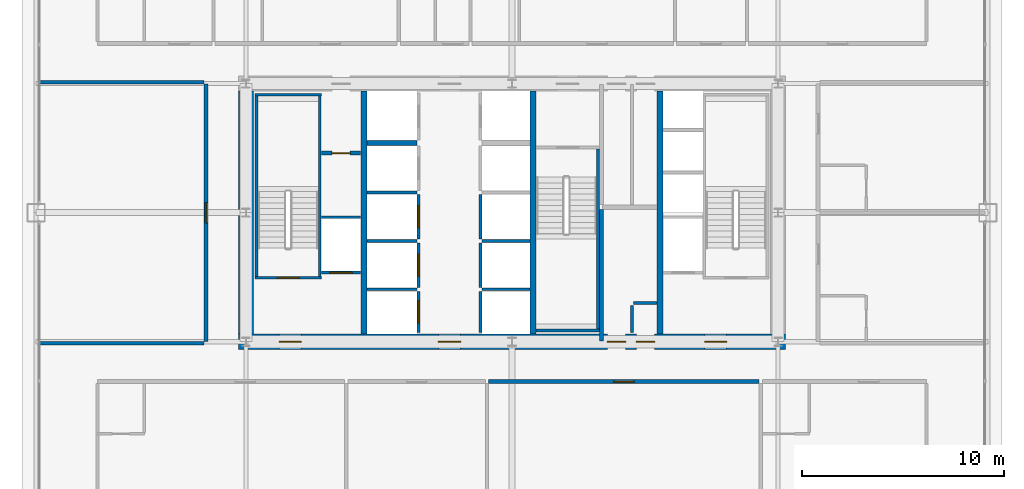
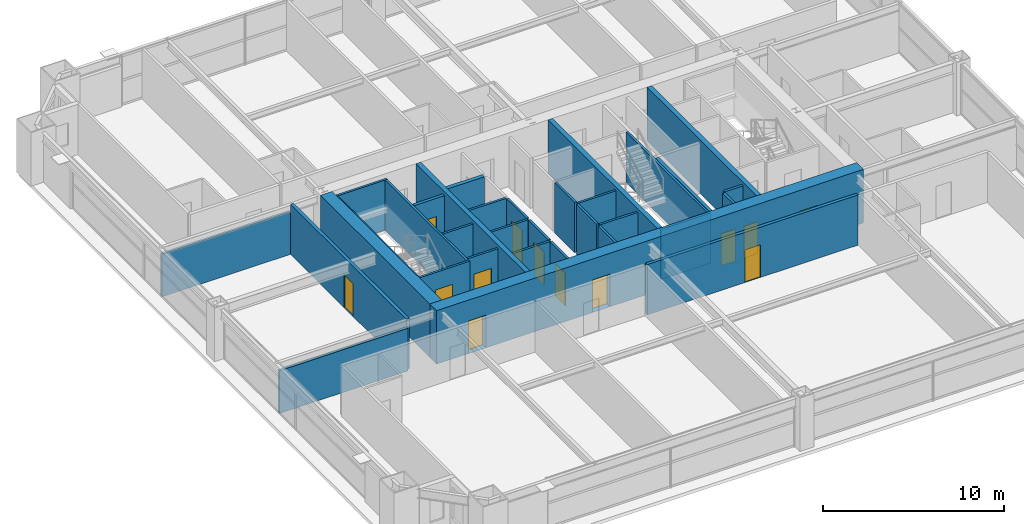
# One storey, part 34 of 38: 33 walls, 13 doors, 13 openings.
"""IFC4 building model written with IfcOpenShell, lengths in metres."""

from ifc_helpers import new_model, si_unit, direction, frame, frame_2d, origin, place, context, subcontext, project, spatial, rectangle, extrude, source, transform, mapped, material, layer, layer_set, type_object, element, fill, save


model = new_model("IFC4")

# Units and contexts
model_context = context("Model", 3, precision=1e-05, world=origin(), true_north=direction((0.0, 1.0)))
body_context = subcontext(model_context, "Body", "Model", "MODEL_VIEW")
ifc_project = project(units=[si_unit("LENGTHUNIT", "METRE"), si_unit("AREAUNIT", "SQUARE_METRE"), si_unit("VOLUMEUNIT", "CUBIC_METRE"), si_unit("PLANEANGLEUNIT", "RADIAN"), si_unit("MASSUNIT", "GRAM", prefix="KILO"), si_unit("THERMODYNAMICTEMPERATUREUNIT", "KELVIN"), si_unit("POWERUNIT", "WATT")], contexts=[model_context])

# Site, building, storey
site_placement = place(None, origin())
site = spatial("IfcSite", under=ifc_project, at=site_placement, CompositionType="ELEMENT")
building_placement = place(site_placement, origin())
building = spatial("IfcBuilding", under=site, at=building_placement, Name="Yuzanri Waterfront Tower", CompositionType="ELEMENT")
storey_placement = place(building_placement, frame((0.0, 0.0, 111.800048828125)))
storey = spatial("IfcBuildingStorey", under=building, at=storey_placement, Name="L29", CompositionType="ELEMENT", Elevation=111.800048828125)

# Wall, openings, doors
ifc_material_1 = material(Name="Concrete C55", Category="concrete")
ifc_layer_1 = layer(ifc_material_1, 0.75)
ifc_layer_set_1 = layer_set([ifc_layer_1], Name="Concrete C55")
wall_type_1 = type_object("IfcWallType", Name="Concrete C55 Low-Mid Zone Core Shear Wall 750", PredefinedType="SHEAR", material=ifc_layer_set_1)
wall_1_placement = place(storey_placement, frame((23.425048828125, 19.39990234375, 0.0), z_axis=(0.0, 0.0, 1.0), x_axis=(1.0, 0.0, 0.0)))
wall_1 = element("IfcWall", 1, at=wall_1_placement, inside=storey, type_object=wall_type_1, Name="L29 Core South Shear Wall", PredefinedType="SHEAR", context=body_context, shape_type="SweptSolid", body=[
    extrude(rectangle(XDim=27.14990234375, YDim=0.75, at=frame_2d((13.574951171875, 0.0))), origin(), (0.0, 0.0, 1.0), 3.599853515625),
])
opening_1_placement = place(wall_1_placement, frame((2.02490234375, 0.0, 0.0)))
opening_1 = element("IfcOpeningElement", 2, at=opening_1_placement, cuts=wall_1, Name="Opening FD-1100", PredefinedType="OPENING", context=body_context, shape_type="SweptSolid", body=[
    extrude(rectangle(XDim=1.10009765625, YDim=2.199951171875, at=frame_2d((0.550048828125, 1.10009765625))), frame((0.0, 0.389892578125, 0.0), z_axis=(0.0, -1.0, 0.0), x_axis=(1.0, 0.0, 0.0)), (0.0, 0.0, 1.0), 0.77978515625),
])
opening_2_placement = place(wall_1_placement, frame((9.925048828125, 0.0, 0.0)))
opening_2 = element("IfcOpeningElement", 3, at=opening_2_placement, cuts=wall_1, Name="Opening FD-1100", PredefinedType="OPENING", context=body_context, shape_type="SweptSolid", body=[
    extrude(rectangle(XDim=1.10009765625, YDim=2.199951171875, at=frame_2d((0.550048828125, 1.10009765625))), frame((0.0, 0.389892578125, 0.0), z_axis=(0.0, -1.0, 0.0), x_axis=(1.0, 0.0, 0.0)), (0.0, 0.0, 1.0), 0.77978515625),
])
opening_3_placement = place(wall_1_placement, frame((23.125, 0.0, 0.0)))
opening_3 = element("IfcOpeningElement", 4, at=opening_3_placement, cuts=wall_1, Name="Opening FD-1100", PredefinedType="OPENING", context=body_context, shape_type="SweptSolid", body=[
    extrude(rectangle(XDim=1.10009765625, YDim=2.199951171875, at=frame_2d((0.550048828125, 1.10009765625))), frame((0.0, 0.389892578125, 0.0), z_axis=(0.0, -1.0, 0.0), x_axis=(1.0, 0.0, 0.0)), (0.0, 0.0, 1.0), 0.77978515625),
])
opening_4_placement = place(wall_1_placement, frame((19.7451171875, 0.0, 0.0)))
opening_4 = element("IfcOpeningElement", 5, at=opening_4_placement, cuts=wall_1, Name="Opening FD-0900", PredefinedType="OPENING", context=body_context, shape_type="SweptSolid", body=[
    extrude(rectangle(XDim=0.89990234375, YDim=2.14990234375, at=frame_2d((0.449951171875, 1.074951171875))), frame((0.0, 0.389892578125, 0.0), z_axis=(0.0, -1.0, 0.0), x_axis=(1.0, 0.0, 0.0)), (0.0, 0.0, 1.0), 0.77978515625),
])
opening_5_placement = place(wall_1_placement, frame((18.304931640625, 0.0, 0.0)))
opening_5 = element("IfcOpeningElement", 6, at=opening_5_placement, cuts=wall_1, Name="Opening FD-0900", PredefinedType="OPENING", context=body_context, shape_type="SweptSolid", body=[
    extrude(rectangle(XDim=0.89990234375, YDim=2.14990234375, at=frame_2d((0.449951171875, 1.074951171875))), frame((0.0, 0.389892578125, 0.0), z_axis=(0.0, -1.0, 0.0), x_axis=(1.0, 0.0, 0.0)), (0.0, 0.0, 1.0), 0.77978515625),
])
ifc_material_2 = material(Name="Painted Galvanized Fire Steel", Category="steel")
door_type_1 = type_object("IfcDoorType", Name="Smoke-Proof Stair and Lobby Fire Door 1100x2200", OperationType="NOTDEFINED", PredefinedType="DOOR", material=ifc_material_2)
shared_shape_1 = source(origin(), body_context, "Body", "SweptSolid", [
    extrude(rectangle(XDim=1.10009765625, YDim=2.199951171875, at=frame_2d((0.550048828125, 1.10009765625))), frame((0.0, 0.02490234375, 0.0), z_axis=(0.0, -1.0, 0.0), x_axis=(1.0, 0.0, 0.0)), (0.0, 0.0, 1.0), 0.050048828125),
])
door_1_placement = place(opening_1_placement, origin())
door_1 = element("IfcDoor", 7, at=door_1_placement, inside=storey, type_object=door_type_1, Name="L29 West Firefighting Lobby Door", OperationType="SINGLE_SWING_LEFT", OverallHeight=2.199951171875, OverallWidth=1.10009765625, PredefinedType="DOOR", context=body_context, shape_type="MappedRepresentation", body=[
    mapped(shared_shape_1, transform((0.0, 0.0, 0.0), scale=1.0)),
])
fill(opening_1, door_1)
door_2_placement = place(opening_2_placement, origin())
door_2 = element("IfcDoor", 8, at=door_2_placement, inside=storey, type_object=door_type_1, Name="L29 Central Lift Lobby South Door", OperationType="SINGLE_SWING_RIGHT", OverallHeight=2.199951171875, OverallWidth=1.10009765625, PredefinedType="DOOR", context=body_context, shape_type="MappedRepresentation", body=[
    mapped(shared_shape_1, transform((0.0, 0.0, 0.0), scale=1.0)),
])
fill(opening_2, door_2)
door_3_placement = place(opening_3_placement, origin())
door_3 = element("IfcDoor", 9, at=door_3_placement, inside=storey, type_object=door_type_1, Name="L29 East Firefighting Lobby Door", OperationType="SINGLE_SWING_LEFT", OverallHeight=2.199951171875, OverallWidth=1.10009765625, PredefinedType="DOOR", context=body_context, shape_type="MappedRepresentation", body=[
    mapped(shared_shape_1, transform((0.0, 0.0, 0.0), scale=1.0)),
])
fill(opening_3, door_3)
ifc_material_3 = material(Name="Painted Galvanized Fire Steel", Category="steel")
door_type_2 = type_object("IfcDoorType", Name="Riser and Service Room Fire Door 900x2150", OperationType="NOTDEFINED", PredefinedType="DOOR", material=ifc_material_3)
shared_shape_2 = source(origin(), body_context, "Body", "SweptSolid", [
    extrude(rectangle(XDim=0.89990234375, YDim=2.14990234375, at=frame_2d((0.449951171875, 1.074951171875))), frame((0.0, 0.02490234375, 0.0), z_axis=(0.0, -1.0, 0.0), x_axis=(1.0, 0.0, 0.0)), (0.0, 0.0, 1.0), 0.050048828125),
])
door_4_placement = place(opening_4_placement, origin())
door_4 = element("IfcDoor", 10, at=door_4_placement, inside=storey, type_object=door_type_2, Name="L29 East Wet Riser Door", OperationType="SINGLE_SWING_RIGHT", OverallHeight=2.14990234375, OverallWidth=0.89990234375, PredefinedType="DOOR", context=body_context, shape_type="MappedRepresentation", body=[
    mapped(shared_shape_2, transform((0.0, 0.0, 0.0), scale=1.0)),
])
fill(opening_4, door_4)
door_5_placement = place(opening_5_placement, origin())
door_5 = element("IfcDoor", 11, at=door_5_placement, inside=storey, type_object=door_type_2, Name="L29 Housekeeping Room", OperationType="SINGLE_SWING_LEFT", OverallHeight=2.14990234375, OverallWidth=0.89990234375, PredefinedType="DOOR", context=body_context, shape_type="MappedRepresentation", body=[
    mapped(shared_shape_2, transform((0.0, 0.0, 0.0), scale=1.0)),
])
fill(opening_5, door_5)

# Wall, opening, door
ifc_material_4 = material(Name="Concrete C40", Category="concrete")
ifc_layer_2 = layer(ifc_material_4, 0.139892578125)
ifc_layer_set_2 = layer_set([ifc_layer_2], Name="Concrete C40")
wall_type_2 = type_object("IfcWallType", Name="Core Stair Liner and Hoistway Shaft Wall 140", PredefinedType="SOLIDWALL", material=ifc_layer_set_2)
wall_2_placement = place(storey_placement, frame((27.56005859375, 22.830078125, 0.0), z_axis=(0.0, 0.0, 1.0), x_axis=(1.0, 0.0, 0.0)))
wall_2 = element("IfcWall", 12, at=wall_2_placement, inside=storey, type_object=wall_type_2, Name="L29 Lift FL-01 Front Shaft Wall", PredefinedType="SOLIDWALL", context=body_context, shape_type="SweptSolid", body=[
    extrude(rectangle(XDim=1.919921875, YDim=0.139892578125, at=frame_2d((0.9599609375, 0.0))), origin(), (0.0, 0.0, 1.0), 3.3798828125),
])
opening_6_placement = place(wall_2_placement, frame((0.409912109375, 0.0, 0.0)))
opening_6 = element("IfcOpeningElement", 13, at=opening_6_placement, cuts=wall_2, Name="Opening LD-FL-01", PredefinedType="OPENING", context=body_context, shape_type="SweptSolid", body=[
    extrude(rectangle(XDim=1.10009765625, YDim=2.199951171875, at=frame_2d((0.550048828125, 1.10009765625))), frame((0.0, 0.0849609375, 0.0), z_axis=(0.0, -1.0, 0.0), x_axis=(1.0, 0.0, 0.0)), (0.0, 0.0, 1.0), 0.169677734375),
])
ifc_material_5 = material(Name="Brushed Bronze and Stainless Steel Cab", Category="steel")
door_type_3 = type_object("IfcDoorType", Name="Center-Parting Bronze Lift Landing Sliding Door 1100x2200", OperationType="NOTDEFINED", PredefinedType="DOOR", material=ifc_material_5)
shared_shape_3 = source(origin(), body_context, "Body", "SweptSolid", [
    extrude(rectangle(XDim=1.10009765625, YDim=2.199951171875, at=frame_2d((0.550048828125, 1.10009765625))), frame((0.0, 0.02490234375, 0.0), z_axis=(0.0, -1.0, 0.0), x_axis=(1.0, 0.0, 0.0)), (0.0, 0.0, 1.0), 0.050048828125),
])
door_6_placement = place(opening_6_placement, origin())
door_6 = element("IfcDoor", 14, at=door_6_placement, inside=storey, type_object=door_type_3, Name="L29 FL-01 Lift Landing Sliding Door", OperationType="SLIDING_TO_LEFT", OverallHeight=2.199951171875, OverallWidth=1.10009765625, PredefinedType="DOOR", context=body_context, shape_type="MappedRepresentation", body=[
    mapped(shared_shape_3, transform((0.0, 0.0, 0.0), scale=1.0)),
])
fill(opening_6, door_6)

wall_3_placement = place(storey_placement, frame((32.3701171875, 19.860107421875, 0.0), z_axis=(0.0, 0.0, 1.0), x_axis=(0.0, 1.0, 0.0)))
wall_3 = element("IfcWall", 15, at=wall_3_placement, inside=storey, type_object=wall_type_2, Name="L29 Lift PL-01 Front Shaft Wall", PredefinedType="SOLIDWALL", context=body_context, shape_type="SweptSolid", body=[
    extrude(rectangle(XDim=2.039794921875, YDim=0.139892578125, at=frame_2d((1.02001953125, 0.0))), origin(), (0.0, 0.0, 1.0), 3.3798828125),
])
opening_7_placement = place(wall_3_placement, frame((0.469970703125, 0.0, 0.0)))
opening_7 = element("IfcOpeningElement", 16, at=opening_7_placement, cuts=wall_3, Name="Opening LD-PL-01", PredefinedType="OPENING", context=body_context, shape_type="SweptSolid", body=[
    extrude(rectangle(XDim=1.10009765625, YDim=2.199951171875, at=frame_2d((0.550048828125, 1.10009765625))), frame((0.0, 0.0849609375, 0.0), z_axis=(0.0, -1.0, 0.0), x_axis=(1.0, 0.0, 0.0)), (0.0, 0.0, 1.0), 0.169677734375),
])
door_7_placement = place(opening_7_placement, origin())
door_7 = element("IfcDoor", 17, at=door_7_placement, inside=storey, type_object=door_type_3, Name="L29 PL-01 Lift Landing Sliding Door", OperationType="SLIDING_TO_LEFT", OverallHeight=2.199951171875, OverallWidth=1.10009765625, PredefinedType="DOOR", context=body_context, shape_type="MappedRepresentation", body=[
    mapped(shared_shape_3, transform((0.0, 0.0, 0.0), scale=1.0)),
])
fill(opening_7, door_7)

wall_4_placement = place(storey_placement, frame((32.3701171875, 22.10009765625, 0.0), z_axis=(0.0, 0.0, 1.0), x_axis=(0.0, 1.0, 0.0)))
wall_4 = element("IfcWall", 18, at=wall_4_placement, inside=storey, type_object=wall_type_2, Name="L29 Lift PL-02 Front Shaft Wall", PredefinedType="SOLIDWALL", context=body_context, shape_type="SweptSolid", body=[
    extrude(rectangle(XDim=2.199951171875, YDim=0.139892578125, at=frame_2d((1.10009765625, 0.0))), origin(), (0.0, 0.0, 1.0), 3.3798828125),
])
opening_8_placement = place(wall_4_placement, frame((0.550048828125, 0.0, 0.0)))
opening_8 = element("IfcOpeningElement", 19, at=opening_8_placement, cuts=wall_4, Name="Opening LD-PL-02", PredefinedType="OPENING", context=body_context, shape_type="SweptSolid", body=[
    extrude(rectangle(XDim=1.10009765625, YDim=2.199951171875, at=frame_2d((0.550048828125, 1.10009765625))), frame((0.0, 0.0849609375, 0.0), z_axis=(0.0, -1.0, 0.0), x_axis=(1.0, 0.0, 0.0)), (0.0, 0.0, 1.0), 0.169677734375),
])
door_8_placement = place(opening_8_placement, origin())
door_8 = element("IfcDoor", 20, at=door_8_placement, inside=storey, type_object=door_type_3, Name="L29 PL-02 Lift Landing Sliding Door", OperationType="SLIDING_TO_RIGHT", OverallHeight=2.199951171875, OverallWidth=1.10009765625, PredefinedType="DOOR", context=body_context, shape_type="MappedRepresentation", body=[
    mapped(shared_shape_3, transform((0.0, 0.0, 0.0), scale=1.0)),
])
fill(opening_8, door_8)

wall_5_placement = place(storey_placement, frame((32.3701171875, 24.5, 0.0), z_axis=(0.0, 0.0, 1.0), x_axis=(0.0, 1.0, 0.0)))
wall_5 = element("IfcWall", 21, at=wall_5_placement, inside=storey, type_object=wall_type_2, Name="L29 Lift PL-03 Front Shaft Wall", PredefinedType="SOLIDWALL", context=body_context, shape_type="SweptSolid", body=[
    extrude(rectangle(XDim=2.199951171875, YDim=0.139892578125, at=frame_2d((1.10009765625, 0.0))), origin(), (0.0, 0.0, 1.0), 3.3798828125),
])
opening_9_placement = place(wall_5_placement, frame((0.550048828125, 0.0, 0.0)))
opening_9 = element("IfcOpeningElement", 22, at=opening_9_placement, cuts=wall_5, Name="Opening LD-PL-03", PredefinedType="OPENING", context=body_context, shape_type="SweptSolid", body=[
    extrude(rectangle(XDim=1.10009765625, YDim=2.199951171875, at=frame_2d((0.550048828125, 1.10009765625))), frame((0.0, 0.0849609375, 0.0), z_axis=(0.0, -1.0, 0.0), x_axis=(1.0, 0.0, 0.0)), (0.0, 0.0, 1.0), 0.169677734375),
])
door_9_placement = place(opening_9_placement, origin())
door_9 = element("IfcDoor", 23, at=door_9_placement, inside=storey, type_object=door_type_3, Name="L29 PL-03 Lift Landing Sliding Door", OperationType="SLIDING_TO_LEFT", OverallHeight=2.199951171875, OverallWidth=1.10009765625, PredefinedType="DOOR", context=body_context, shape_type="MappedRepresentation", body=[
    mapped(shared_shape_3, transform((0.0, 0.0, 0.0), scale=1.0)),
])
fill(opening_9, door_9)

wall_6_placement = place(storey_placement, frame((24.260009765625, 22.570068359375, 0.0), z_axis=(0.0, 0.0, 1.0), x_axis=(1.0, 0.0, 0.0)))
wall_6 = element("IfcWall", 24, at=wall_6_placement, inside=storey, type_object=wall_type_2, Name="L29 Shaft Wall STW-L29-ST-01-S", PredefinedType="SOLIDWALL", context=body_context, shape_type="SweptSolid", body=[
    extrude(rectangle(XDim=3.280029296875, YDim=0.139892578125, at=frame_2d((1.64013671875, 0.0))), origin(), (0.0, 0.0, 1.0), 3.3798828125),
])
opening_10_placement = place(wall_6_placement, frame((1.090087890625, 0.0, 0.0)))
opening_10 = element("IfcOpeningElement", 25, at=opening_10_placement, cuts=wall_6, Name="Opening FD-1100", PredefinedType="OPENING", context=body_context, shape_type="SweptSolid", body=[
    extrude(rectangle(XDim=1.10009765625, YDim=2.199951171875, at=frame_2d((0.550048828125, 1.10009765625))), frame((0.0, 0.0849609375, 0.0), z_axis=(0.0, -1.0, 0.0), x_axis=(1.0, 0.0, 0.0)), (0.0, 0.0, 1.0), 0.169677734375),
])
door_10_placement = place(opening_10_placement, origin())
door_10 = element("IfcDoor", 26, at=door_10_placement, inside=storey, type_object=door_type_1, Name="L29 Stair ST-01 Fire Door", OperationType="SINGLE_SWING_RIGHT", OverallHeight=2.199951171875, OverallWidth=1.10009765625, PredefinedType="DOOR", context=body_context, shape_type="MappedRepresentation", body=[
    mapped(shared_shape_1, transform((0.0, 0.0, 0.0), scale=1.0)),
])
fill(opening_10, door_10)

ifc_material_6 = material(Name="Autoclaved Aerated Concrete Blockwork", Category="masonry")
ifc_layer_3 = layer(ifc_material_6, 0.199951171875)
ifc_layer_set_3 = layer_set([ifc_layer_3], Name="Autoclaved Aerated Concrete Blockwork")
wall_type_3 = type_object("IfcWallType", Name="Corridor and Unit Party Fire Wall 200", PredefinedType="PARTITIONING", material=ifc_layer_set_3)
wall_7_placement = place(storey_placement, frame((27.56005859375, 28.75, 0.0), z_axis=(0.0, 0.0, 1.0), x_axis=(1.0, 0.0, 0.0)))
wall_7 = element("IfcWall", 27, at=wall_7_placement, inside=storey, type_object=wall_type_3, Name="L29 Partition CRW-L29-ERTR", PredefinedType="PARTITIONING", context=body_context, shape_type="SweptSolid", body=[
    extrude(rectangle(XDim=1.919921875, YDim=0.199951171875, at=frame_2d((0.9599609375, 0.0))), origin(), (0.0, 0.0, 1.0), 3.3798828125),
])
opening_11_placement = place(wall_7_placement, frame((0.510009765625, 0.0, 0.0)))
opening_11 = element("IfcOpeningElement", 28, at=opening_11_placement, cuts=wall_7, Name="Opening FD-0900", PredefinedType="OPENING", context=body_context, shape_type="SweptSolid", body=[
    extrude(rectangle(XDim=0.89990234375, YDim=2.14990234375, at=frame_2d((0.449951171875, 1.074951171875))), frame((0.0, 0.11474609375, 0.0), z_axis=(0.0, -1.0, 0.0), x_axis=(1.0, 0.0, 0.0)), (0.0, 0.0, 1.0), 0.229736328125),
])
door_11_placement = place(opening_11_placement, origin())
door_11 = element("IfcDoor", 29, at=door_11_placement, inside=storey, type_object=door_type_2, Name="L29 Electrical Riser Door", OperationType="SINGLE_SWING_LEFT", OverallHeight=2.14990234375, OverallWidth=0.89990234375, PredefinedType="DOOR", context=body_context, shape_type="MappedRepresentation", body=[
    mapped(shared_shape_2, transform((0.0, 0.0, 0.0), scale=1.0)),
])
fill(opening_11, door_11)

wall_8_placement = place(storey_placement, frame((35.845947265625, 17.419921875, 0.0), z_axis=(0.0, 0.0, 1.0), x_axis=(1.0, 0.0, 0.0)))
wall_8 = element("IfcWall", 30, at=wall_8_placement, inside=storey, type_object=wall_type_3, Name="L29 Partition UW-L29-S3-CN", PredefinedType="PARTITIONING", context=body_context, shape_type="SweptSolid", body=[
    extrude(rectangle(XDim=13.41015625, YDim=0.199951171875, at=frame_2d((6.705078125, 0.0))), origin(), (0.0, 0.0, 1.0), 3.3798828125),
])
opening_12_placement = place(wall_8_placement, frame((6.205078125, 0.0, 0.0)))
opening_12 = element("IfcOpeningElement", 31, at=opening_12_placement, cuts=wall_8, Name="Opening FD-1000", PredefinedType="OPENING", context=body_context, shape_type="SweptSolid", body=[
    extrude(rectangle(XDim=1.0, YDim=2.199951171875, at=frame_2d((0.5, 1.10009765625))), frame((0.0, 0.11474609375, 0.0), z_axis=(0.0, -1.0, 0.0), x_axis=(1.0, 0.0, 0.0)), (0.0, 0.0, 1.0), 0.229736328125),
])
ifc_material_7 = material(Name="Engineered Oak Fire-Rated Timber", Category="wood")
door_type_4 = type_object("IfcDoorType", Name="Guestroom and Apartment Entrance Fire Door 1000x2200", OperationType="NOTDEFINED", PredefinedType="DOOR", material=ifc_material_7)
shared_shape_4 = source(origin(), body_context, "Body", "SweptSolid", [
    extrude(rectangle(XDim=1.0, YDim=2.199951171875, at=frame_2d((0.5, 1.10009765625))), frame((0.0, 0.02490234375, 0.0), z_axis=(0.0, -1.0, 0.0), x_axis=(1.0, 0.0, 0.0)), (0.0, 0.0, 1.0), 0.050048828125),
])
door_12_placement = place(opening_12_placement, origin())
door_12 = element("IfcDoor", 32, at=door_12_placement, inside=storey, type_object=door_type_4, Name="L29 Boardroom B Entrance Door", OperationType="SINGLE_SWING_LEFT", OverallHeight=2.199951171875, OverallWidth=1.0, PredefinedType="DOOR", context=body_context, shape_type="MappedRepresentation", body=[
    mapped(shared_shape_4, transform((0.0, 0.0, 0.0), scale=1.0)),
])
fill(opening_12, door_12)

wall_9_placement = place(storey_placement, frame((21.820068359375, 19.409912109375, 0.0), z_axis=(0.0, 0.0, 1.0), x_axis=(0.0, 1.0, 0.0)))
wall_9 = element("IfcWall", 33, at=wall_9_placement, inside=storey, type_object=wall_type_3, Name="L29 Partition UW-L29-W1-CW", PredefinedType="PARTITIONING", context=body_context, shape_type="SweptSolid", body=[
    extrude(rectangle(XDim=12.780029296875, YDim=0.199951171875, at=frame_2d((6.39013671875, 0.0))), origin(), (0.0, 0.0, 1.0), 3.3798828125),
])
opening_13_placement = place(wall_9_placement, frame((5.889892578125, 0.0, 0.0)))
opening_13 = element("IfcOpeningElement", 34, at=opening_13_placement, cuts=wall_9, Name="Opening FD-1000", PredefinedType="OPENING", context=body_context, shape_type="SweptSolid", body=[
    extrude(rectangle(XDim=1.0, YDim=2.199951171875, at=frame_2d((0.5, 1.10009765625))), frame((0.0, 0.11474609375, 0.0), z_axis=(0.0, -1.0, 0.0), x_axis=(1.0, 0.0, 0.0)), (0.0, 0.0, 1.0), 0.229736328125),
])
door_13_placement = place(opening_13_placement, origin())
door_13 = element("IfcDoor", 35, at=door_13_placement, inside=storey, type_object=door_type_4, Name="L29 West Conference Hall Entrance Door", OperationType="SINGLE_SWING_RIGHT", OverallHeight=2.199951171875, OverallWidth=1.0, PredefinedType="DOOR", context=body_context, shape_type="MappedRepresentation", body=[
    mapped(shared_shape_4, transform((0.0, 0.0, 0.0), scale=1.0)),
])
fill(opening_13, door_13)

# Walls
shared_shape_5 = source(origin(), body_context, "Body", "SweptSolid", [
    extrude(rectangle(XDim=12.050048828125, YDim=0.75, at=frame_2d((6.02490234375, 0.0))), origin(), (0.0, 0.0, 1.0), 3.599853515625),
])
wall_10_placement = place(storey_placement, frame((23.800048828125, 19.77490234375, 0.0), z_axis=(0.0, 0.0, 1.0), x_axis=(0.0, 1.0, 0.0)))
element("IfcWall", 36, at=wall_10_placement, inside=storey, type_object=wall_type_1, Name="L29 Core West Shear Wall", PredefinedType="SHEAR", context=body_context, shape_type="MappedRepresentation", body=[
    mapped(shared_shape_5, transform((0.0, 0.0, 0.0), scale=1.0)),
])
ifc_material_8 = material(Name="Concrete C50", Category="concrete")
ifc_layer_4 = layer(ifc_material_8, 0.300048828125)
ifc_layer_set_4 = layer_set([ifc_layer_4], Name="Concrete C50")
wall_type_4 = type_object("IfcWallType", Name="Concrete C50 Internal Core Shaft Structural Wall 300", PredefinedType="SOLIDWALL", material=ifc_layer_set_4)
shared_shape_6 = source(origin(), body_context, "Body", "SweptSolid", [
    extrude(rectangle(XDim=12.050048828125, YDim=0.300048828125, at=frame_2d((6.02490234375, 0.0))), origin(), (0.0, 0.0, 1.0), 3.599853515625),
])
for number, where, z_axis, x_axis, name in (
    (37, (29.64990234375, 19.77490234375, 0.0), (0.0, 0.0, 1.0), (0.0, 1.0, 0.0), "L29 Core Internal Structural Web Wall 1"),
    (38, (38.050048828125, 19.77490234375, 0.0), (0.0, 0.0, 1.0), (0.0, 1.0, 0.0), "L29 Core Internal Structural Web Wall 2"),
    (39, (44.35009765625, 19.77490234375, 0.0), (0.0, 0.0, 1.0), (0.0, 1.0, 0.0), "L29 Core Internal Structural Web Wall 3"),
):
    element("IfcWall", number, at=place(storey_placement, frame(where, z_axis=z_axis, x_axis=x_axis)), inside=storey, type_object=wall_type_4, Name=name, PredefinedType="SOLIDWALL", context=body_context, shape_type="MappedRepresentation", body=[
        mapped(shared_shape_6, transform((0.0, 0.0, 0.0), scale=1.0)),
    ])
shared_shape_7 = source(origin(), body_context, "Body", "SweptSolid", [
    extrude(rectangle(XDim=1.919921875, YDim=0.139892578125, at=frame_2d((0.9599609375, 0.0))), origin(), (0.0, 0.0, 1.0), 3.3798828125),
])
wall_11_placement = place(storey_placement, frame((27.56005859375, 25.570068359375, 0.0), z_axis=(0.0, 0.0, 1.0), x_axis=(1.0, 0.0, 0.0)))
element("IfcWall", 40, at=wall_11_placement, inside=storey, type_object=wall_type_2, Name="L29 Lift FL-01 Back Shaft Wall", PredefinedType="SOLIDWALL", context=body_context, shape_type="MappedRepresentation", body=[
    mapped(shared_shape_7, transform((0.0, 0.0, 0.0), scale=1.0)),
])
shared_shape_8 = source(origin(), body_context, "Body", "SweptSolid", [
    extrude(rectangle(XDim=2.5, YDim=0.139892578125, at=frame_2d((1.25, 0.0))), origin(), (0.0, 0.0, 1.0), 3.3798828125),
])
for number, where, z_axis, x_axis, name in (
    (41, (29.800048828125, 22.0, 0.0), (0.0, 0.0, 1.0), (1.0, 0.0, 0.0), "L29 Lift PL-01 Divider Wall"),
    (42, (29.800048828125, 24.39990234375, 0.0), (0.0, 0.0, 1.0), (1.0, 0.0, 0.0), "L29 Lift PL-02 Divider Wall"),
    (43, (29.800048828125, 26.800048828125, 0.0), (0.0, 0.0, 1.0), (1.0, 0.0, 0.0), "L29 Lift PL-03 Divider Wall"),
):
    element("IfcWall", number, at=place(storey_placement, frame(where, z_axis=z_axis, x_axis=x_axis)), inside=storey, type_object=wall_type_2, Name=name, PredefinedType="SOLIDWALL", context=body_context, shape_type="MappedRepresentation", body=[
        mapped(shared_shape_8, transform((0.0, 0.0, 0.0), scale=1.0)),
    ])
ifc_material_9 = material(Name="Concrete C40", Category="concrete")
ifc_layer_5 = layer(ifc_material_9, 0.25)
ifc_layer_set_5 = layer_set([ifc_layer_5], Name="Concrete C40")
wall_type_5 = type_object("IfcWallType", Name="Smoke-Proof Stair and Lift Shaft Wall 250", PredefinedType="SOLIDWALL", material=ifc_layer_set_5)
shared_shape_9 = source(origin(), body_context, "Body", "SweptSolid", [
    extrude(rectangle(XDim=2.5, YDim=0.25, at=frame_2d((1.25, 0.0))), origin(), (0.0, 0.0, 1.0), 3.3798828125),
])
wall_12_placement = place(storey_placement, frame((29.800048828125, 29.25, 0.0), z_axis=(0.0, 0.0, 1.0), x_axis=(1.0, 0.0, 0.0)))
element("IfcWall", 44, at=wall_12_placement, inside=storey, type_object=wall_type_5, Name="L29 Lift SL-01 South Shaft Wall", PredefinedType="SOLIDWALL", context=body_context, shape_type="MappedRepresentation", body=[
    mapped(shared_shape_9, transform((0.0, 0.0, 0.0), scale=1.0)),
])
shared_shape_10 = source(origin(), body_context, "Body", "SweptSolid", [
    extrude(rectangle(XDim=2.039794921875, YDim=0.139892578125, at=frame_2d((1.02001953125, 0.0))), origin(), (0.0, 0.0, 1.0), 3.3798828125),
])
wall_13_placement = place(storey_placement, frame((35.429931640625, 19.860107421875, 0.0), z_axis=(0.0, 0.0, 1.0), x_axis=(0.0, 1.0, 0.0)))
element("IfcWall", 45, at=wall_13_placement, inside=storey, type_object=wall_type_2, Name="L29 Lift PL-05 Front Shaft Wall", PredefinedType="SOLIDWALL", context=body_context, shape_type="MappedRepresentation", body=[
    mapped(shared_shape_10, transform((0.0, 0.0, 0.0), scale=1.0)),
])
shared_shape_11 = source(origin(), body_context, "Body", "SweptSolid", [
    extrude(rectangle(XDim=2.39990234375, YDim=0.139892578125, at=frame_2d((1.199951171875, 0.0))), origin(), (0.0, 0.0, 1.0), 3.3798828125),
])
for number, where, z_axis, x_axis, name in (
    (46, (35.5, 22.0, 0.0), (0.0, 0.0, 1.0), (1.0, 0.0, 0.0), "L29 Lift PL-05 Divider Wall"),
    (47, (35.5, 24.39990234375, 0.0), (0.0, 0.0, 1.0), (1.0, 0.0, 0.0), "L29 Lift PL-06 Divider Wall"),
):
    element("IfcWall", number, at=place(storey_placement, frame(where, z_axis=z_axis, x_axis=x_axis)), inside=storey, type_object=wall_type_2, Name=name, PredefinedType="SOLIDWALL", context=body_context, shape_type="MappedRepresentation", body=[
        mapped(shared_shape_11, transform((0.0, 0.0, 0.0), scale=1.0)),
    ])
shared_shape_12 = source(origin(), body_context, "Body", "SweptSolid", [
    extrude(rectangle(XDim=2.199951171875, YDim=0.139892578125, at=frame_2d((1.10009765625, 0.0))), origin(), (0.0, 0.0, 1.0), 3.3798828125),
])
for number, where, z_axis, x_axis, name in (
    (48, (35.429931640625, 22.10009765625, 0.0), (0.0, 0.0, 1.0), (0.0, 1.0, 0.0), "L29 Lift PL-06 Front Shaft Wall"),
    (49, (35.429931640625, 24.5, 0.0), (0.0, 0.0, 1.0), (0.0, 1.0, 0.0), "L29 Lift PL-07 Front Shaft Wall"),
):
    element("IfcWall", number, at=place(storey_placement, frame(where, z_axis=z_axis, x_axis=x_axis)), inside=storey, type_object=wall_type_2, Name=name, PredefinedType="SOLIDWALL", context=body_context, shape_type="MappedRepresentation", body=[
        mapped(shared_shape_12, transform((0.0, 0.0, 0.0), scale=1.0)),
    ])
shared_shape_13 = source(origin(), body_context, "Body", "SweptSolid", [
    extrude(rectangle(XDim=3.280029296875, YDim=0.139892578125, at=frame_2d((1.64013671875, 0.0))), origin(), (0.0, 0.0, 1.0), 3.3798828125),
])
wall_14_placement = place(storey_placement, frame((24.260009765625, 31.64990234375, 0.0), z_axis=(0.0, 0.0, 1.0), x_axis=(1.0, 0.0, 0.0)))
element("IfcWall", 50, at=wall_14_placement, inside=storey, type_object=wall_type_2, Name="L29 Stair ST-01 North Shaft Wall", PredefinedType="SOLIDWALL", context=body_context, shape_type="MappedRepresentation", body=[
    mapped(shared_shape_13, transform((0.0, 0.0, 0.0), scale=1.0)),
])
shared_shape_14 = source(origin(), body_context, "Body", "SweptSolid", [
    extrude(rectangle(XDim=8.940185546875, YDim=0.139892578125, at=frame_2d((4.47021484375, 0.0))), origin(), (0.0, 0.0, 1.0), 3.3798828125),
])
for number, where, z_axis, x_axis, name in (
    (51, (24.330078125, 22.639892578125, 0.0), (0.0, 0.0, 1.0), (0.0, 1.0, 0.0), "L29 Stair ST-01 West Shaft Wall"),
    (52, (27.469970703125, 22.639892578125, 0.0), (0.0, 0.0, 1.0), (0.0, 1.0, 0.0), "L29 Stair ST-01 East Shaft Wall"),
):
    element("IfcWall", number, at=place(storey_placement, frame(where, z_axis=z_axis, x_axis=x_axis)), inside=storey, type_object=wall_type_2, Name=name, PredefinedType="SOLIDWALL", context=body_context, shape_type="MappedRepresentation", body=[
        mapped(shared_shape_14, transform((0.0, 0.0, 0.0), scale=1.0)),
    ])
shared_shape_15 = source(origin(), body_context, "Body", "SweptSolid", [
    extrude(rectangle(XDim=3.14013671875, YDim=0.139892578125, at=frame_2d((1.570068359375, 0.0))), origin(), (0.0, 0.0, 1.0), 3.3798828125),
])
wall_15_placement = place(storey_placement, frame((38.199951171875, 19.949951171875, 0.0), z_axis=(0.0, 0.0, 1.0), x_axis=(1.0, 0.0, 0.0)))
element("IfcWall", 53, at=wall_15_placement, inside=storey, type_object=wall_type_2, Name="L29 Stair ST-03 South Shaft Wall", PredefinedType="SOLIDWALL", context=body_context, shape_type="MappedRepresentation", body=[
    mapped(shared_shape_15, transform((0.0, 0.0, 0.0), scale=1.0)),
])
shared_shape_16 = source(origin(), body_context, "Body", "SweptSolid", [
    extrude(rectangle(XDim=8.93994140625, YDim=0.139892578125, at=frame_2d((4.469970703125, 0.0))), origin(), (0.0, 0.0, 1.0), 3.3798828125),
])
wall_16_placement = place(storey_placement, frame((41.27001953125, 20.02001953125, 0.0), z_axis=(0.0, 0.0, 1.0), x_axis=(0.0, 1.0, 0.0)))
element("IfcWall", 54, at=wall_16_placement, inside=storey, type_object=wall_type_2, Name="L29 Stair ST-03 East Shaft Wall", PredefinedType="SOLIDWALL", context=body_context, shape_type="MappedRepresentation", body=[
    mapped(shared_shape_16, transform((0.0, 0.0, 0.0), scale=1.0)),
])
ifc_material_10 = material(Name="Gypsum Fireboard Acoustic Stud Wall", Category="gypsum")
ifc_layer_6 = layer(ifc_material_10, 0.159912109375)
ifc_layer_set_6 = layer_set([ifc_layer_6], Name="Gypsum Fireboard Acoustic Stud Wall")
wall_type_6 = type_object("IfcWallType", Name="Acoustic Suite Demising Partition 160", PredefinedType="PARTITIONING", material=ifc_layer_set_6)
shared_shape_17 = source(origin(), body_context, "Body", "SweptSolid", [
    extrude(rectangle(XDim=1.33984375, YDim=0.159912109375, at=frame_2d((0.669921875, 0.0))), origin(), (0.0, 0.0, 1.0), 3.3798828125),
])
wall_17_placement = place(storey_placement, frame((42.949951171875, 19.860107421875, 0.0), z_axis=(0.0, 0.0, 1.0), x_axis=(0.0, 1.0, 0.0)))
element("IfcWall", 55, at=wall_17_placement, inside=storey, type_object=wall_type_6, Name="L29 East Wet Riser West Wall", PredefinedType="PARTITIONING", context=body_context, shape_type="MappedRepresentation", body=[
    mapped(shared_shape_17, transform((0.0, 0.0, 0.0), scale=1.0)),
])
shared_shape_18 = source(origin(), body_context, "Body", "SweptSolid", [
    extrude(rectangle(XDim=1.169921875, YDim=0.159912109375, at=frame_2d((0.5849609375, 0.0))), origin(), (0.0, 0.0, 1.0), 3.3798828125),
])
wall_18_placement = place(storey_placement, frame((43.030029296875, 21.320068359375, 0.0), z_axis=(0.0, 0.0, 1.0), x_axis=(1.0, 0.0, 0.0)))
element("IfcWall", 56, at=wall_18_placement, inside=storey, type_object=wall_type_6, Name="L29 East Wet Riser North Wall", PredefinedType="PARTITIONING", context=body_context, shape_type="MappedRepresentation", body=[
    mapped(shared_shape_18, transform((0.0, 0.0, 0.0), scale=1.0)),
])
shared_shape_19 = source(origin(), body_context, "Body", "SweptSolid", [
    extrude(rectangle(XDim=6.510009765625, YDim=0.199951171875, at=frame_2d((3.2548828125, 0.0))), origin(), (0.0, 0.0, 1.0), 3.3798828125),
])
wall_19_placement = place(storey_placement, frame((41.449951171875, 19.43994140625, 0.0), z_axis=(0.0, 0.0, 1.0), x_axis=(0.0, 1.0, 0.0)))
element("IfcWall", 57, at=wall_19_placement, inside=storey, type_object=wall_type_3, Name="L29 Core BOH West Wall 1", PredefinedType="PARTITIONING", context=body_context, shape_type="MappedRepresentation", body=[
    mapped(shared_shape_19, transform((0.0, 0.0, 0.0), scale=1.0)),
])
shared_shape_20 = source(origin(), body_context, "Body", "SweptSolid", [
    extrude(rectangle(XDim=8.169921875, YDim=0.159912109375, at=frame_2d((4.0849609375, 0.0))), origin(), (0.0, 0.0, 1.0), 2.875),
])
for number, where, z_axis, x_axis, name in (
    (58, (13.550048828125, 19.330078125, 0.0), (0.0, 0.0, 1.0), (1.0, 0.0, 0.0), "L29-W1 Wing South End Wall"),
    (59, (13.550048828125, 32.27001953125, 0.0), (0.0, 0.0, 1.0), (1.0, 0.0, 0.0), "L29-W1 Wing North End Wall"),
):
    element("IfcWall", number, at=place(storey_placement, frame(where, z_axis=z_axis, x_axis=x_axis)), inside=storey, type_object=wall_type_6, Name=name, PredefinedType="PARTITIONING", context=body_context, shape_type="MappedRepresentation", body=[
        mapped(shared_shape_20, transform((0.0, 0.0, 0.0), scale=1.0)),
    ])

save(model, "model.ifc")
